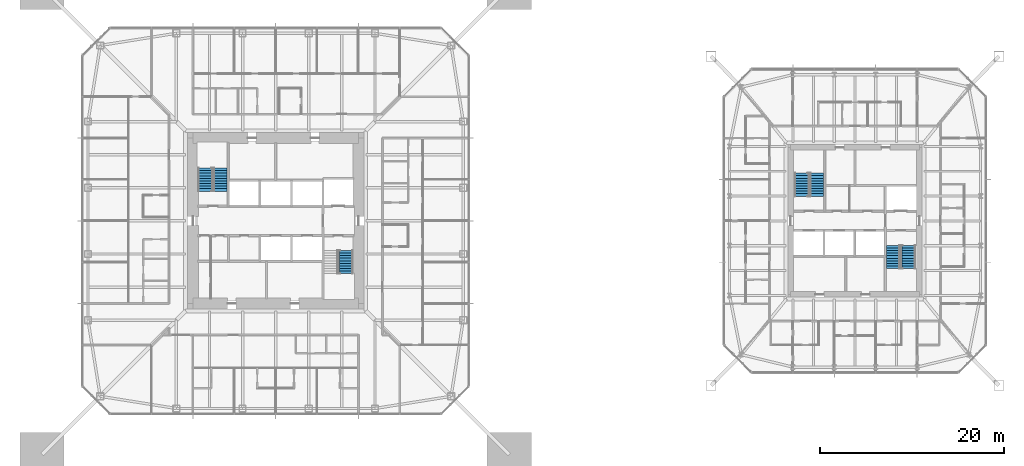
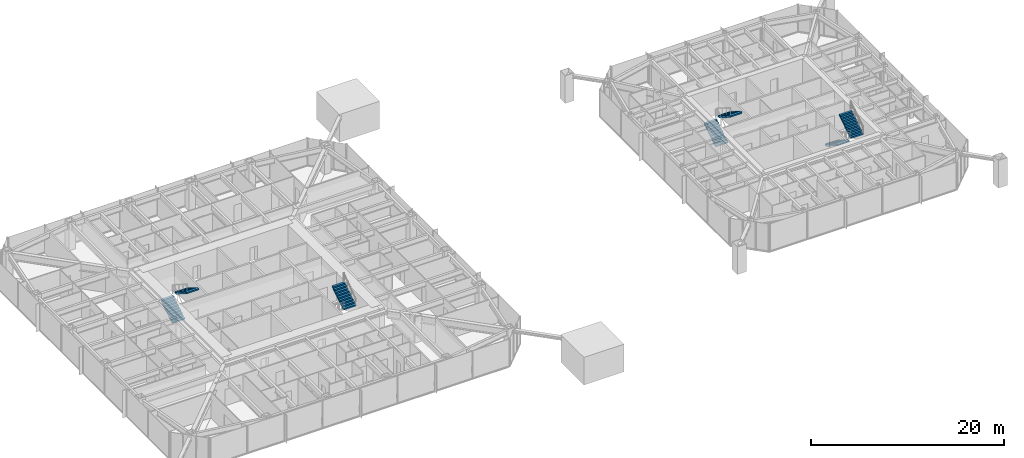
# One storey, part 20 of 25: 7 stair flights, 4 elements without a shape of their own.
"""IFC4 building model written with IfcOpenShell, lengths in metres."""

import ifcopenshell
import ifcopenshell.guid

model = None  # the IFC model being written
_history = None  # IfcOwnerHistory: only IFC2X3 demands one
_inside = {}  # id of a spatial element -> (the spatial element, [elements in it])
_under = {}  # id of a project, library or spatial element -> (it, [spatial elements below it])
_declared = {}  # id of a project -> (the project, [libraries it declares])
_typed = {}  # id of a type object -> (the type object, [elements of that type])
_made_of = {}  # id of a material, layer set ... -> (it, [elements and type objects made of it])


def new_model(schema):
    """Start an empty IFC model of exactly this schema.

    Asked for "IFC4X3", IfcOpenShell would pick the latest addendum, in which some entities
    have other attributes; the version numbers below select the first issue.
    IFC2X3 requires an IfcOwnerHistory on every rooted entity: one is made here for all.
    """
    global model, _history
    if schema == "IFC4X3":
        model = ifcopenshell.file(schema_version=(4, 3, 0, 0))
    else:
        model = ifcopenshell.file(schema=schema)
    _inside.clear()
    _under.clear()
    _declared.clear()
    _typed.clear()
    _made_of.clear()
    _history = None
    if model.schema == "IFC2X3":
        org = make("IfcOrganization", Name="unknown")
        user = make(
            "IfcPersonAndOrganization",
            ThePerson=make("IfcPerson", FamilyName="unknown"),
            TheOrganization=org,
        )
        app = make(
            "IfcApplication",
            ApplicationDeveloper=org,
            Version="unknown",
            ApplicationFullName="unknown",
            ApplicationIdentifier="unknown",
        )
        _history = make(
            "IfcOwnerHistory",
            OwningUser=user,
            OwningApplication=app,
            ChangeAction="ADDED",
            CreationDate=0,
        )
    return model


def make(cls, **values):
    """One entity of the class cls with the attributes given. An attribute that is None is left unset."""
    return model.create_entity(
        cls, **{name: value for name, value in values.items() if value is not None}
    )


def rooted(cls, **values):
    """An entity with a GlobalId (a new one), such as an element, a storey or a relation."""
    return make(cls, GlobalId=ifcopenshell.guid.new(), OwnerHistory=_history, **values)


def si_unit(unit_type, name, prefix=None):
    """IfcSIUnit, for example si_unit("LENGTHUNIT", "METRE", prefix="MILLI")."""
    return make("IfcSIUnit", UnitType=unit_type, Prefix=prefix, Name=name)


def assignment(units):
    """IfcUnitAssignment: the units of a project."""
    return None if units is None else make("IfcUnitAssignment", Units=units)


def point(xyz):
    """IfcCartesianPoint."""
    return None if xyz is None else make("IfcCartesianPoint", Coordinates=xyz)


def direction(xyz):
    """IfcDirection."""
    return None if xyz is None else make("IfcDirection", DirectionRatios=xyz)


def frame(location, z_axis=None, x_axis=None):
    """IfcAxis2Placement3D, a coordinate frame: its origin and axes. An axis left out is left unset."""
    return make(
        "IfcAxis2Placement3D",
        Location=point(location),
        Axis=direction(z_axis),
        RefDirection=direction(x_axis),
    )


def origin():
    """The frame at (0, 0, 0) with its axes left unset."""
    return frame((0.0, 0.0, 0.0))


def place(relative_to, where):
    """IfcLocalPlacement: puts the frame where relative to a parent placement (None: the world)."""
    return make(
        "IfcLocalPlacement", PlacementRelTo=relative_to, RelativePlacement=where
    )


def context(
    kind, dimensions, precision=None, world=None, true_north=None, identifier=None
):
    """IfcGeometricRepresentationContext, for example the 3D "Model" context."""
    return make(
        "IfcGeometricRepresentationContext",
        ContextIdentifier=identifier,
        ContextType=kind,
        CoordinateSpaceDimension=dimensions,
        Precision=precision,
        WorldCoordinateSystem=world,
        TrueNorth=true_north,
    )


def subcontext(parent, identifier, kind, view, scale=None):
    """IfcGeometricRepresentationSubContext, for example "Body" below "Model"."""
    return make(
        "IfcGeometricRepresentationSubContext",
        ContextIdentifier=identifier,
        ContextType=kind,
        ParentContext=parent,
        TargetScale=scale,
        TargetView=view,
    )


def project(units=None, contexts=None):
    """IfcProject with its units and contexts."""
    return rooted(
        "IfcProject",
        Name="project",
        RepresentationContexts=contexts,
        UnitsInContext=assignment(units),
    )


def spatial(cls, under=None, at=None, **own):
    """A site, building, storey or space (cls), placed at a placement, below another one or the project."""
    s = rooted(cls, ObjectPlacement=at, **own)
    if under is not None:
        _under.setdefault(under.id(), (under, []))[1].append(s)
    return s


def polyline(points):
    """IfcPolyline through the points."""
    return make("IfcPolyline", Points=[point(p) for p in points])


def outline(outer, holes=None, kind="AREA"):
    """IfcArbitraryClosedProfileDef: a profile drawn as a closed curve; with holes, ...WithVoids."""
    if holes is None:
        return make("IfcArbitraryClosedProfileDef", ProfileType=kind, OuterCurve=outer)
    return make(
        "IfcArbitraryProfileDefWithVoids",
        ProfileType=kind,
        OuterCurve=outer,
        InnerCurves=holes,
    )


def extrude(swept, where, along, depth):
    """IfcExtrudedAreaSolid: the profile swept, set in the frame where, extruded along a direction by depth."""
    return make(
        "IfcExtrudedAreaSolid",
        SweptArea=swept,
        Position=where,
        ExtrudedDirection=direction(along),
        Depth=depth,
    )


def shape(context_of_items, identifier, shape_type, items):
    """IfcShapeRepresentation: the items that make up one representation, for example the "Body"."""
    return make(
        "IfcShapeRepresentation",
        ContextOfItems=context_of_items,
        RepresentationIdentifier=identifier,
        RepresentationType=shape_type,
        Items=items,
    )


def material(Name=None, Category=None):
    """IfcMaterial."""
    return make("IfcMaterial", Name=Name, Category=Category)


def constituent(of_material, Name=None, Category=None, fraction=None):
    """IfcMaterialConstituent: one of the materials an element consists of."""
    return make(
        "IfcMaterialConstituent",
        Name=Name,
        Material=of_material,
        Fraction=fraction,
        Category=Category,
    )


def constituent_set(constituents=None, Name=None):
    """IfcMaterialConstituentSet."""
    return make(
        "IfcMaterialConstituentSet", Name=Name, MaterialConstituents=constituents
    )


def made_of(thing, what):
    """Note that an element or type object is made of a material, layer set ...; save() writes the relation."""
    if what is not None:
        _made_of.setdefault(what.id(), (what, []))[1].append(thing)
    return thing


def type_object(cls, material=None, **own):
    """A type object (cls), such as IfcWallType, which elements share."""
    return made_of(rooted(cls, **own), material)


def element(
    cls,
    number,
    at=None,
    inside=None,
    cuts=None,
    type_object=None,
    material=None,
    context=None,
    identifier="Body",
    shape_type=None,
    held_by="IfcProductDefinitionShape",
    body=None,
    shapes=None,
    **own,
):
    """One element of the class cls, such as IfcWall. Its Tag is "e" and its number.

    at: its placement. inside: the storey or other place that contains it. cuts: it is an
    opening in that element (IfcRelVoidsElement). A single representation is given by context,
    identifier, shape_type and body (its items); several are given by shapes. held_by: the class
    of the entity that holds the representations. save() writes the other relations.
    """
    e = rooted(cls, Tag="e%d" % number, ObjectPlacement=at, **own)
    if body is not None:
        shapes = [shape(context, identifier, shape_type, body)]
    if shapes is not None:
        e.Representation = make(held_by, Representations=shapes)
    if inside is not None:
        _inside.setdefault(inside.id(), (inside, []))[1].append(e)
    if cuts is not None:
        rooted(
            "IfcRelVoidsElement", RelatingBuildingElement=cuts, RelatedOpeningElement=e
        )
    if type_object is not None:
        _typed.setdefault(type_object.id(), (type_object, []))[1].append(e)
    return made_of(e, material)


def aggregate(whole, parts):
    """IfcRelAggregates: a whole, such as a stair, and the parts it consists of."""
    return rooted("IfcRelAggregates", RelatingObject=whole, RelatedObjects=parts)


def save(model, path):
    """Write the relations noted so far, then the file.

    IfcRelAggregates (storeys below a building ...), IfcRelContainedInSpatialStructure (elements
    in a storey), IfcRelDefinesByType, IfcRelAssociatesMaterial and IfcRelDeclares: one each for
    every whole, place, type object, material and project.
    """
    for whole, parts in _under.values():
        aggregate(whole, parts)
    for where, things in _inside.values():
        rooted(
            "IfcRelContainedInSpatialStructure",
            RelatedElements=things,
            RelatingStructure=where,
        )
    for kind, things in _typed.values():
        rooted("IfcRelDefinesByType", RelatedObjects=things, RelatingType=kind)
    for what, things in _made_of.values():
        rooted("IfcRelAssociatesMaterial", RelatedObjects=things, RelatingMaterial=what)
    for by, libraries in _declared.values():
        rooted("IfcRelDeclares", RelatingContext=by, RelatedDefinitions=libraries)
    model.write(path)


model = new_model("IFC4")

# Units and contexts
model_context = context("Model", 3, precision=1e-05, world=origin(), true_north=direction((0.0, 1.0)))
body_context = subcontext(model_context, "Body", "Model", "MODEL_VIEW")
ifc_project = project(units=[si_unit("LENGTHUNIT", "METRE"), si_unit("AREAUNIT", "SQUARE_METRE"), si_unit("VOLUMEUNIT", "CUBIC_METRE"), si_unit("PLANEANGLEUNIT", "RADIAN"), si_unit("MASSUNIT", "GRAM", prefix="KILO")], contexts=[model_context])

# Site, building, storey
site_placement = place(None, origin())
site = spatial("IfcSite", under=ifc_project, at=site_placement, CompositionType="ELEMENT")
building_placement = place(site_placement, origin())
building = spatial("IfcBuilding", under=site, at=building_placement, Name="Iwan Alto Co-Living Towers", CompositionType="ELEMENT")
storey_placement = place(building_placement, frame((0.0, 0.0, 84.0)))
storey = spatial("IfcBuildingStorey", under=building, at=storey_placement, Name="L22", CompositionType="ELEMENT", Elevation=84.0)

# Stair, stair flights
ifc_material_1 = material(Name="Steel ASTM A36", Category="steel")
ifc_constituent_1 = constituent(ifc_material_1, Name="Stringers", Category="LoadBearing")
ifc_material_2 = material(Name="Concrete f'c 30 MPa", Category="concrete")
ifc_constituent_2 = constituent(ifc_material_2, Name="Tread fill", Category="Finish")
ifc_constituent_set_1 = constituent_set(constituents=[ifc_constituent_1, ifc_constituent_2], Name="STAIR 3500 TWO-FLIGHT T1 CORE")
stair_type_1 = type_object("IfcStairType", Name="STAIR 3500 TWO-FLIGHT T1 CORE", PredefinedType="HALF_TURN_STAIR", material=ifc_constituent_set_1)
stair_1_placement = place(storey_placement, origin())
stair_1 = element("IfcStair", 1, at=stair_1_placement, inside=storey, type_object=stair_type_1, Name="Stair T1-S1 L22 to L23", PredefinedType="HALF_TURN_STAIR")
ifc_constituent_3 = constituent(ifc_material_1, Name="Stringers", Category="LoadBearing")
ifc_constituent_4 = constituent(ifc_material_2, Name="Tread fill", Category="Finish")
ifc_constituent_set_2 = constituent_set(constituents=[ifc_constituent_3, ifc_constituent_4], Name="STAIR FLIGHT 10 RISERS 280 GOING")
stair_flight_type = type_object("IfcStairFlightType", Name="STAIR FLIGHT 10 RISERS 280 GOING", PredefinedType="STRAIGHT", material=ifc_constituent_set_2)
stair_flight_1_placement = place(storey_placement, frame((-7.68994140625, 3.219970703125, 0.0), z_axis=(0.0, 0.0, 1.0), x_axis=(0.0, 1.0, 0.0)))
stair_flight_1 = element("IfcStairFlight", 2, at=stair_flight_1_placement, type_object=stair_flight_type, Name="T1-S1 flight 1", NumberOfRisers=10, NumberOfTreads=9, PredefinedType="STRAIGHT", RiserHeight=0.175, TreadLength=0.28, context=body_context, shape_type="SweptSolid", body=[
    extrude(outline(polyline([(0.0, 0.0), (0.0, 0.175048828125), (0.280029296875, 0.175048828125), (0.280029296875, 0.35009765625), (0.56005859375, 0.35009765625), (0.56005859375, 0.52490234375), (0.840087890625, 0.52490234375), (0.840087890625, 0.699951171875), (1.1201171875, 0.699951171875), (1.1201171875, 0.875), (1.39990234375, 0.875), (1.39990234375, 1.050048828125), (1.679931640625, 1.050048828125), (1.679931640625, 1.22509765625), (1.9599609375, 1.22509765625), (1.9599609375, 1.39990234375), (2.239990234375, 1.39990234375), (2.239990234375, 1.574951171875), (2.52001953125, 1.574951171875), (2.52001953125, 1.75), (2.52001953125, 1.398193359375), (0.28271484375, 0.0), (0.0, 0.0)])), frame((0.0, 0.739990234375, 0.0), z_axis=(0.0, -1.0, 0.0), x_axis=(1.0, 0.0, 0.0)), (0.0, 0.0, 1.0), 1.47998046875),
])
stair_flight_2_placement = place(storey_placement, frame((-6.010009765625, 5.739990234375, 1.75), z_axis=(0.0, 0.0, 1.0), x_axis=(0.0, -1.0, 0.0)))
stair_flight_2 = element("IfcStairFlight", 3, at=stair_flight_2_placement, type_object=stair_flight_type, Name="T1-S1 flight 2", NumberOfRisers=10, NumberOfTreads=9, PredefinedType="STRAIGHT", RiserHeight=0.175, TreadLength=0.28, context=body_context, shape_type="SweptSolid", body=[
    extrude(outline(polyline([(0.0, 0.0), (0.0, 0.175048828125), (0.280029296875, 0.175048828125), (0.280029296875, 0.35009765625), (0.56005859375, 0.35009765625), (0.56005859375, 0.52490234375), (0.840087890625, 0.52490234375), (0.840087890625, 0.699951171875), (1.1201171875, 0.699951171875), (1.1201171875, 0.875), (1.39990234375, 0.875), (1.39990234375, 1.050048828125), (1.679931640625, 1.050048828125), (1.679931640625, 1.22509765625), (1.9599609375, 1.22509765625), (1.9599609375, 1.39990234375), (2.239990234375, 1.39990234375), (2.239990234375, 1.574951171875), (2.52001953125, 1.574951171875), (2.52001953125, 1.75), (2.52001953125, 1.398193359375), (0.28271484375, 0.0), (0.0, 0.0)])), frame((0.0, 0.739990234375, 0.0), z_axis=(0.0, -1.0, 0.0), x_axis=(1.0, 0.0, 0.0)), (0.0, 0.0, 1.0), 1.47998046875),
])
aggregate(stair_1, [stair_flight_1, stair_flight_2])

# Stair, stair flight
stair_2_placement = place(storey_placement, origin())
stair_2 = element("IfcStair", 4, at=stair_2_placement, inside=storey, type_object=stair_type_1, Name="Stair T1-S2 L22 to L23", PredefinedType="HALF_TURN_STAIR")
stair_flight_3_placement = place(storey_placement, frame((7.68994140625, -5.739990234375, 1.75), z_axis=(0.0, 0.0, 1.0), x_axis=(0.0, 1.0, 0.0)))
stair_flight_3 = element("IfcStairFlight", 5, at=stair_flight_3_placement, type_object=stair_flight_type, Name="T1-S2 flight 2", NumberOfRisers=10, NumberOfTreads=9, PredefinedType="STRAIGHT", RiserHeight=0.175, TreadLength=0.28, context=body_context, shape_type="SweptSolid", body=[
    extrude(outline(polyline([(0.0, 0.0), (0.0, 0.175048828125), (0.280029296875, 0.175048828125), (0.280029296875, 0.35009765625), (0.56005859375, 0.35009765625), (0.56005859375, 0.52490234375), (0.840087890625, 0.52490234375), (0.840087890625, 0.699951171875), (1.1201171875, 0.699951171875), (1.1201171875, 0.875), (1.39990234375, 0.875), (1.39990234375, 1.050048828125), (1.679931640625, 1.050048828125), (1.679931640625, 1.22509765625), (1.9599609375, 1.22509765625), (1.9599609375, 1.39990234375), (2.239990234375, 1.39990234375), (2.239990234375, 1.574951171875), (2.52001953125, 1.574951171875), (2.52001953125, 1.75), (2.52001953125, 1.398193359375), (0.28271484375, 0.0), (0.0, 0.0)])), frame((0.0, 0.739990234375, 0.0), z_axis=(0.0, -1.0, 0.0), x_axis=(1.0, 0.0, 0.0)), (0.0, 0.0, 1.0), 1.47998046875),
])
aggregate(stair_2, [stair_flight_3])

# Stair, stair flights
ifc_constituent_5 = constituent(ifc_material_1, Name="Stringers", Category="LoadBearing")
ifc_constituent_6 = constituent(ifc_material_2, Name="Tread fill", Category="Finish")
ifc_constituent_set_3 = constituent_set(constituents=[ifc_constituent_5, ifc_constituent_6], Name="STAIR 3500 TWO-FLIGHT T2 CORE")
stair_type_2 = type_object("IfcStairType", Name="STAIR 3500 TWO-FLIGHT T2 CORE", PredefinedType="HALF_TURN_STAIR", material=ifc_constituent_set_3)
stair_3_placement = place(storey_placement, origin())
stair_3 = element("IfcStair", 6, at=stair_3_placement, inside=storey, type_object=stair_type_2, Name="Stair T2-S1 L22 to L23", PredefinedType="HALF_TURN_STAIR")
stair_flight_4_placement = place(storey_placement, frame((57.159912109375, 2.669921875, 0.0), z_axis=(0.0, 0.0, 1.0), x_axis=(0.0, 1.0, 0.0)))
stair_flight_4 = element("IfcStairFlight", 7, at=stair_flight_4_placement, type_object=stair_flight_type, Name="T2-S1 flight 1", NumberOfRisers=10, NumberOfTreads=9, PredefinedType="STRAIGHT", RiserHeight=0.175, TreadLength=0.28, context=body_context, shape_type="SweptSolid", body=[
    extrude(outline(polyline([(0.0, 0.0), (0.0, 0.175048828125), (0.280029296875, 0.175048828125), (0.280029296875, 0.35009765625), (0.56005859375, 0.35009765625), (0.56005859375, 0.52490234375), (0.840087890625, 0.52490234375), (0.840087890625, 0.699951171875), (1.1201171875, 0.699951171875), (1.1201171875, 0.875), (1.39990234375, 0.875), (1.39990234375, 1.050048828125), (1.679931640625, 1.050048828125), (1.679931640625, 1.22509765625), (1.9599609375, 1.22509765625), (1.9599609375, 1.39990234375), (2.239990234375, 1.39990234375), (2.239990234375, 1.574951171875), (2.52001953125, 1.574951171875), (2.52001953125, 1.75), (2.52001953125, 1.398193359375), (0.28271484375, 0.0), (0.0, 0.0)])), frame((0.0, 0.739990234375, 0.0), z_axis=(0.0, -1.0, 0.0), x_axis=(1.0, 0.0, 0.0)), (0.0, 0.0, 1.0), 1.47998046875),
])
stair_flight_5_placement = place(storey_placement, frame((58.840087890625, 5.18994140625, 1.75), z_axis=(0.0, 0.0, 1.0), x_axis=(0.0, -1.0, 0.0)))
stair_flight_5 = element("IfcStairFlight", 8, at=stair_flight_5_placement, type_object=stair_flight_type, Name="T2-S1 flight 2", NumberOfRisers=10, NumberOfTreads=9, PredefinedType="STRAIGHT", RiserHeight=0.175, TreadLength=0.28, context=body_context, shape_type="SweptSolid", body=[
    extrude(outline(polyline([(0.0, 0.0), (0.0, 0.175048828125), (0.280029296875, 0.175048828125), (0.280029296875, 0.35009765625), (0.56005859375, 0.35009765625), (0.56005859375, 0.52490234375), (0.840087890625, 0.52490234375), (0.840087890625, 0.699951171875), (1.1201171875, 0.699951171875), (1.1201171875, 0.875), (1.39990234375, 0.875), (1.39990234375, 1.050048828125), (1.679931640625, 1.050048828125), (1.679931640625, 1.22509765625), (1.9599609375, 1.22509765625), (1.9599609375, 1.39990234375), (2.239990234375, 1.39990234375), (2.239990234375, 1.574951171875), (2.52001953125, 1.574951171875), (2.52001953125, 1.75), (2.52001953125, 1.398193359375), (0.28271484375, 0.0), (0.0, 0.0)])), frame((0.0, 0.739990234375, 0.0), z_axis=(0.0, -1.0, 0.0), x_axis=(1.0, 0.0, 0.0)), (0.0, 0.0, 1.0), 1.47998046875),
])
aggregate(stair_3, [stair_flight_4, stair_flight_5])

stair_4_placement = place(storey_placement, origin())
stair_4 = element("IfcStair", 9, at=stair_4_placement, inside=storey, type_object=stair_type_2, Name="Stair T2-S2 L22 to L23", PredefinedType="HALF_TURN_STAIR")
stair_flight_6_placement = place(storey_placement, frame((67.159912109375, -2.669921875, 0.0), z_axis=(0.0, 0.0, 1.0), x_axis=(0.0, -1.0, 0.0)))
stair_flight_6 = element("IfcStairFlight", 10, at=stair_flight_6_placement, type_object=stair_flight_type, Name="T2-S2 flight 1", NumberOfRisers=10, NumberOfTreads=9, PredefinedType="STRAIGHT", RiserHeight=0.175, TreadLength=0.28, context=body_context, shape_type="SweptSolid", body=[
    extrude(outline(polyline([(0.0, 0.0), (0.0, 0.175048828125), (0.280029296875, 0.175048828125), (0.280029296875, 0.35009765625), (0.56005859375, 0.35009765625), (0.56005859375, 0.52490234375), (0.840087890625, 0.52490234375), (0.840087890625, 0.699951171875), (1.1201171875, 0.699951171875), (1.1201171875, 0.875), (1.39990234375, 0.875), (1.39990234375, 1.050048828125), (1.679931640625, 1.050048828125), (1.679931640625, 1.22509765625), (1.9599609375, 1.22509765625), (1.9599609375, 1.39990234375), (2.239990234375, 1.39990234375), (2.239990234375, 1.574951171875), (2.52001953125, 1.574951171875), (2.52001953125, 1.75), (2.52001953125, 1.398193359375), (0.28271484375, 0.0), (0.0, 0.0)])), frame((0.0, 0.739990234375, 0.0), z_axis=(0.0, -1.0, 0.0), x_axis=(1.0, 0.0, 0.0)), (0.0, 0.0, 1.0), 1.47998046875),
])
stair_flight_7_placement = place(storey_placement, frame((68.840087890625, -5.18994140625, 1.75), z_axis=(0.0, 0.0, 1.0), x_axis=(0.0, 1.0, 0.0)))
stair_flight_7 = element("IfcStairFlight", 11, at=stair_flight_7_placement, type_object=stair_flight_type, Name="T2-S2 flight 2", NumberOfRisers=10, NumberOfTreads=9, PredefinedType="STRAIGHT", RiserHeight=0.175, TreadLength=0.28, context=body_context, shape_type="SweptSolid", body=[
    extrude(outline(polyline([(0.0, 0.0), (0.0, 0.175048828125), (0.280029296875, 0.175048828125), (0.280029296875, 0.35009765625), (0.56005859375, 0.35009765625), (0.56005859375, 0.52490234375), (0.840087890625, 0.52490234375), (0.840087890625, 0.699951171875), (1.1201171875, 0.699951171875), (1.1201171875, 0.875), (1.39990234375, 0.875), (1.39990234375, 1.050048828125), (1.679931640625, 1.050048828125), (1.679931640625, 1.22509765625), (1.9599609375, 1.22509765625), (1.9599609375, 1.39990234375), (2.239990234375, 1.39990234375), (2.239990234375, 1.574951171875), (2.52001953125, 1.574951171875), (2.52001953125, 1.75), (2.52001953125, 1.398193359375), (0.28271484375, 0.0), (0.0, 0.0)])), frame((0.0, 0.739990234375, 0.0), z_axis=(0.0, -1.0, 0.0), x_axis=(1.0, 0.0, 0.0)), (0.0, 0.0, 1.0), 1.47998046875),
])
aggregate(stair_4, [stair_flight_6, stair_flight_7])

save(model, "model.ifc")
